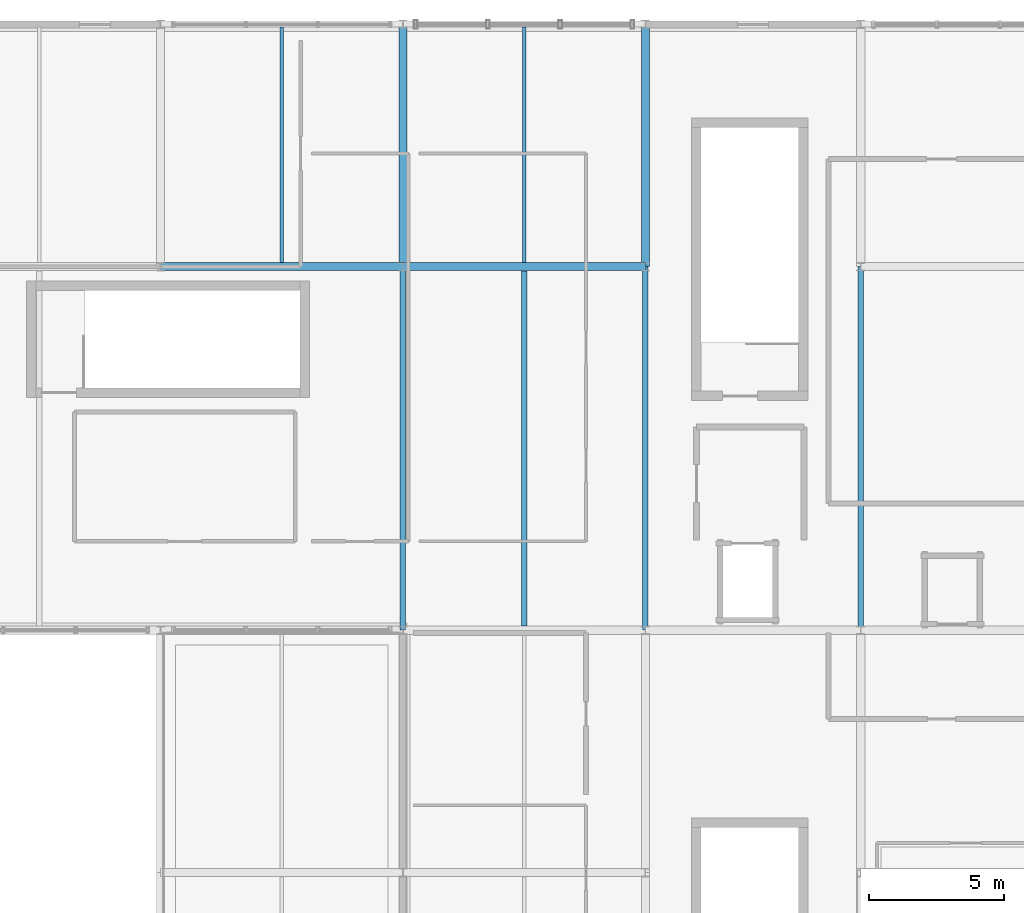
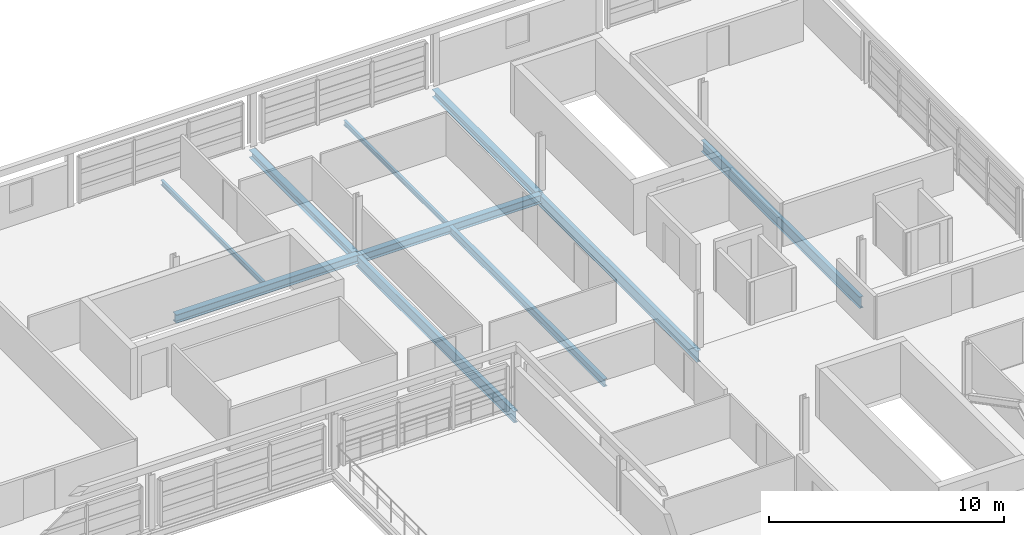
# One storey, part 17 of 27: 10 beams.
"""IFC4 building model written with IfcOpenShell, lengths in metres."""

from ifc_helpers import new_model, si_unit, direction, frame, origin, origin_2d, place, context, subcontext, project, spatial, i_section, extrude, material, material_profile, profile_set, type_object, element, save


model = new_model("IFC4")

# Units and contexts
model_context = context("Model", 3, precision=1e-05, world=origin(), true_north=direction((0.0, 1.0)))
body_context = subcontext(model_context, "Body", "Model", "MODEL_VIEW")
ifc_project = project(units=[si_unit("LENGTHUNIT", "METRE"), si_unit("AREAUNIT", "SQUARE_METRE"), si_unit("VOLUMEUNIT", "CUBIC_METRE"), si_unit("PLANEANGLEUNIT", "RADIAN"), si_unit("MASSUNIT", "GRAM", prefix="KILO")], contexts=[model_context])

# Site, building, storey
site_placement = place(None, origin())
site = spatial("IfcSite", under=ifc_project, at=site_placement, CompositionType="ELEMENT")
building_placement = place(site_placement, origin())
building = spatial("IfcBuilding", under=site, at=building_placement, Name="Chuanluo Vaults Station", CompositionType="ELEMENT")
storey_placement = place(building_placement, frame((0.0, 0.0, 20.800048828125)))
storey = spatial("IfcBuildingStorey", under=building, at=storey_placement, Name="L05", CompositionType="ELEMENT", Elevation=20.800048828125)

# Beams
ifc_material_1 = material(Name="Steel Q355C", Category="steel")
ifc_material_profile_1 = material_profile(ifc_material_1, i_section(OverallWidth=0.300048828125, OverallDepth=0.389892578125, WebThickness=0.010009765625, FlangeThickness=0.01611328125, FilletRadius=0.02001953125, at=origin_2d()))
ifc_profile_set_1 = profile_set([ifc_material_profile_1], Name="Steel Q355C")
beam_type_1 = type_object("IfcBeamType", Name="BM-GRD-400", PredefinedType="BEAM", material=ifc_profile_set_1)
for number, where, z_axis, x_axis, name in (
    (1, (163.0, 117.0, -0.4150390625), (0.0, 1.0, 0.0), (-1.0, 0.0, 0.0), "Floor girder BM:GY:L05:1000"),
    (2, (172.0, 117.0, -0.4150390625), (0.0, 1.0, 0.0), (-1.0, 0.0, 0.0), "Floor girder BM:GY:L05:1005"),
):
    element("IfcBeam", number, at=place(storey_placement, frame(where, z_axis=z_axis, x_axis=x_axis)), inside=storey, type_object=beam_type_1, Name=name, PredefinedType="BEAM", context=body_context, shape_type="SweptSolid", body=[
        extrude(i_section(OverallWidth=0.300048828125, OverallDepth=0.389892578125, WebThickness=0.010009765625, FlangeThickness=0.01611328125, FilletRadius=0.02001953125, at=origin_2d()), origin(), (0.0, 0.0, 1.0), 9.0),
    ])
ifc_material_2 = material(Name="Steel Q355C", Category="steel")
ifc_material_profile_2 = material_profile(ifc_material_2, i_section(OverallWidth=0.300048828125, OverallDepth=0.43994140625, WebThickness=0.010986328125, FlangeThickness=0.01806640625, FilletRadius=0.02001953125, at=origin_2d()))
ifc_profile_set_2 = profile_set([ifc_material_profile_2], Name="Steel Q355C")
beam_type_2 = type_object("IfcBeamType", Name="BM-GRD-450", PredefinedType="USERDEFINED", material=ifc_profile_set_2)
for number, where, z_axis, x_axis, name in (
    (3, (154.0, 117.0, -0.400146484375), (1.0, 0.0, 0.0), (0.0, 1.0, 0.0), "Floor girder BM:GX:L05:0975"),
    (4, (163.0, 117.0, -0.43994140625), (1.0, 0.0, 0.0), (0.0, 1.0, 0.0), "Floor girder BM:GX:L05:0976"),
):
    element("IfcBeam", number, at=place(storey_placement, frame(where, z_axis=z_axis, x_axis=x_axis)), inside=storey, type_object=beam_type_2, Name=name, ObjectType="GIRDER", PredefinedType="USERDEFINED", context=body_context, shape_type="SweptSolid", body=[
        extrude(i_section(OverallWidth=0.300048828125, OverallDepth=0.43994140625, WebThickness=0.010986328125, FlangeThickness=0.01806640625, FilletRadius=0.02001953125, at=origin_2d()), origin(), (0.0, 0.0, 1.0), 9.0),
    ])
ifc_material_3 = material(Name="Steel Q355C", Category="steel")
ifc_material_profile_3 = material_profile(ifc_material_3, i_section(OverallWidth=0.199951171875, OverallDepth=0.60009765625, WebThickness=0.010986328125, FlangeThickness=0.01708984375, FilletRadius=0.01806640625, at=origin_2d()))
ifc_profile_set_3 = profile_set([ifc_material_profile_3], Name="Steel Q355C")
beam_type_3 = type_object("IfcBeamType", Name="BM-GRD-600", PredefinedType="USERDEFINED", material=ifc_profile_set_3)
for number, where, z_axis, x_axis, name in (
    (5, (163.0, 103.5, -0.52001953125), (0.0, 1.0, 0.0), (-1.0, 0.0, 0.0), "Floor girder BM:GY:L05:0999"),
    (6, (172.0, 103.5, -0.52001953125), (0.0, 1.0, 0.0), (-1.0, 0.0, 0.0), "Floor girder BM:GY:L05:1004"),
    (7, (180.0, 103.5, -0.52001953125), (0.0, 1.0, 0.0), (-1.0, 0.0, 0.0), "Floor girder BM:GY:L05:1009"),
):
    element("IfcBeam", number, at=place(storey_placement, frame(where, z_axis=z_axis, x_axis=x_axis)), inside=storey, type_object=beam_type_3, Name=name, ObjectType="GIRDER", PredefinedType="USERDEFINED", context=body_context, shape_type="SweptSolid", body=[
        extrude(i_section(OverallWidth=0.199951171875, OverallDepth=0.60009765625, WebThickness=0.010986328125, FlangeThickness=0.01708984375, FilletRadius=0.01806640625, at=origin_2d()), origin(), (0.0, 0.0, 1.0), 13.5),
    ])
ifc_material_4 = material(Name="Steel Q355C", Category="steel")
ifc_material_profile_4 = material_profile(ifc_material_4, i_section(OverallWidth=0.125, OverallDepth=0.25, WebThickness=0.006103515625, FlangeThickness=0.009033203125, FilletRadius=0.011962890625, at=origin_2d()))
ifc_profile_set_4 = profile_set([ifc_material_profile_4], Name="Steel Q355C")
beam_type_4 = type_object("IfcBeamType", Name="BM-SEC-250", PredefinedType="JOIST", material=ifc_profile_set_4)
for number, where, z_axis, x_axis, name in (
    (8, (158.5, 117.155029296875, -0.304931640625), (0.0, 1.0, 0.0), (-1.0, 0.0, 0.0), "Composite secondary joist 0304"),
    (9, (167.5, 117.155029296875, -0.344970703125), (0.0, 1.0, 0.0), (-1.0, 0.0, 0.0), "Composite secondary joist 0309"),
):
    element("IfcBeam", number, at=place(storey_placement, frame(where, z_axis=z_axis, x_axis=x_axis)), inside=storey, type_object=beam_type_4, Name=name, PredefinedType="JOIST", context=body_context, shape_type="SweptSolid", body=[
        extrude(i_section(OverallWidth=0.125, OverallDepth=0.25, WebThickness=0.006103515625, FlangeThickness=0.009033203125, FilletRadius=0.011962890625, at=origin_2d()), origin(), (0.0, 0.0, 1.0), 8.737548828125),
    ])
ifc_material_5 = material(Name="Steel Q355C", Category="steel")
ifc_material_profile_5 = material_profile(ifc_material_5, i_section(OverallWidth=0.199951171875, OverallDepth=0.39990234375, WebThickness=0.008056640625, FlangeThickness=0.012939453125, FilletRadius=0.01611328125, at=origin_2d()))
ifc_profile_set_5 = profile_set([ifc_material_profile_5], Name="Steel Q355C")
beam_type_5 = type_object("IfcBeamType", Name="BM-SEC-400", PredefinedType="BEAM", material=ifc_profile_set_5)
beam_placement = place(storey_placement, frame((167.5, 103.655029296875, -0.420166015625), z_axis=(0.0, 1.0, 0.0), x_axis=(-1.0, 0.0, 0.0)))
element("IfcBeam", 10, at=beam_placement, inside=storey, type_object=beam_type_5, Name="Composite secondary joist 0308", PredefinedType="BEAM", context=body_context, shape_type="SweptSolid", body=[
    extrude(i_section(OverallWidth=0.199951171875, OverallDepth=0.39990234375, WebThickness=0.008056640625, FlangeThickness=0.012939453125, FilletRadius=0.01611328125, at=origin_2d()), origin(), (0.0, 0.0, 1.0), 13.18994140625),
])

save(model, "model.ifc")
